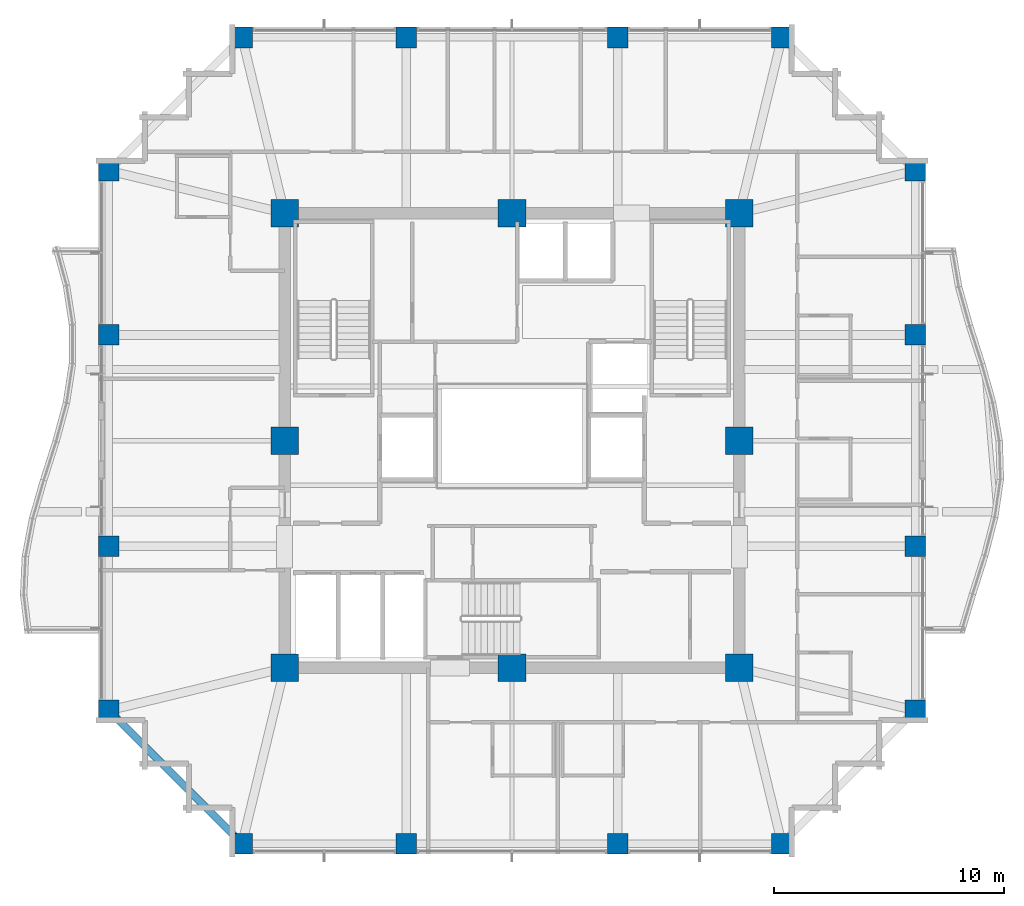
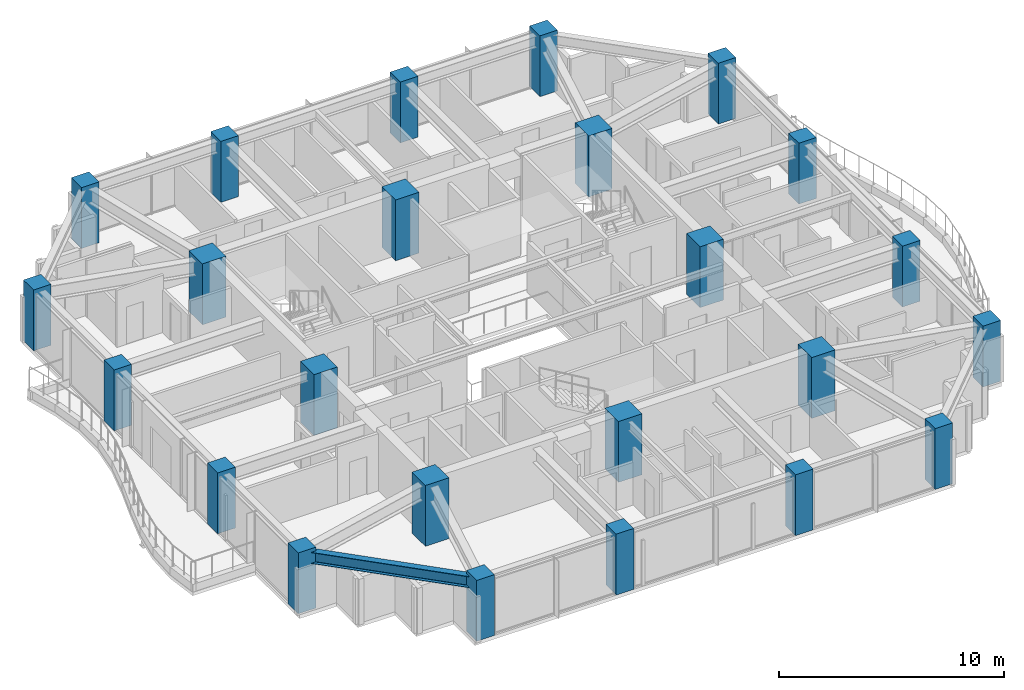
# One storey, part 1 of 33: 24 columns, 1 beam.
"""IFC4 building model written with IfcOpenShell, lengths in metres."""

from ifc_helpers import new_model, si_unit, direction, frame, origin, origin_2d, place, context, subcontext, project, spatial, rectangle, i_section, extrude, material, material_profile, profile_set, type_object, element, save


model = new_model("IFC4")

# Units and contexts
model_context = context("Model", 3, precision=1e-05, world=origin(), true_north=direction((0.0, 1.0)))
body_context = subcontext(model_context, "Body", "Model", "MODEL_VIEW")
ifc_project = project(units=[si_unit("LENGTHUNIT", "METRE"), si_unit("AREAUNIT", "SQUARE_METRE"), si_unit("VOLUMEUNIT", "CUBIC_METRE"), si_unit("PLANEANGLEUNIT", "RADIAN"), si_unit("MASSUNIT", "GRAM", prefix="KILO")], contexts=[model_context])

# Site, building, storey
site_placement = place(None, origin())
site = spatial("IfcSite", under=ifc_project, at=site_placement, CompositionType="ELEMENT")
building_placement = place(site_placement, origin())
building = spatial("IfcBuilding", under=site, at=building_placement, Name="Kolvaren Belvedere", CompositionType="ELEMENT")
storey_placement = place(building_placement, frame((0.0, 0.0, 128.300048828125)))
storey = spatial("IfcBuildingStorey", under=building, at=storey_placement, Name="L37", CompositionType="ELEMENT", Elevation=128.300048828125)

# Columns
ifc_material_1 = material(Name="Concrete C60/75", Category="concrete")
ifc_material_profile_1 = material_profile(ifc_material_1, rectangle(XDim=1.199951171875, YDim=1.199951171875, at=origin_2d()), Name="RC 1200X1200")
ifc_profile_set_1 = profile_set([ifc_material_profile_1], Name="Concrete C60/75")
column_type_1 = type_object("IfcColumnType", Name="COL-RC-1200", PredefinedType="COLUMN", material=ifc_profile_set_1)
for number, where, z_axis, x_axis, name in (
    (1, (-9.89990234375, -9.89990234375, 0.0), (0.0, 0.0, 1.0), (1.0, 0.0, 0.0), "L37 Core Column CC1"),
    (2, (9.89990234375, -9.89990234375, 0.0), (0.0, 0.0, 1.0), (1.0, 0.0, 0.0), "L37 Core Column CC2"),
    (3, (9.89990234375, 9.89990234375, 0.0), (0.0, 0.0, 1.0), (1.0, 0.0, 0.0), "L37 Core Column CC3"),
    (4, (-9.89990234375, 9.89990234375, 0.0), (0.0, 0.0, 1.0), (1.0, 0.0, 0.0), "L37 Core Column CC4"),
    (5, (0.0, -9.89990234375, 0.0), (0.0, 0.0, 1.0), (1.0, 0.0, 0.0), "L37 Core Column CM1"),
    (6, (9.89990234375, 0.0, 0.0), (0.0, 0.0, 1.0), (1.0, 0.0, 0.0), "L37 Core Column CM2"),
    (7, (0.0, 9.89990234375, 0.0), (0.0, 0.0, 1.0), (1.0, 0.0, 0.0), "L37 Core Column CM3"),
    (8, (-9.89990234375, 0.0, 0.0), (0.0, 0.0, 1.0), (1.0, 0.0, 0.0), "L37 Core Column CM4"),
):
    element("IfcColumn", number, at=place(storey_placement, frame(where, z_axis=z_axis, x_axis=x_axis)), inside=storey, type_object=column_type_1, Name=name, PredefinedType="COLUMN", context=body_context, shape_type="SweptSolid", body=[
        extrude(rectangle(XDim=1.199951171875, YDim=1.199951171875, at=origin_2d()), origin(), (0.0, 0.0, 1.0), 3.300048828125),
    ])
ifc_material_2 = material(Name="Concrete C50/60", Category="concrete")
ifc_material_profile_2 = material_profile(ifc_material_2, rectangle(XDim=0.89990234375, YDim=0.89990234375, at=origin_2d()), Name="RC 900X900")
ifc_profile_set_2 = profile_set([ifc_material_profile_2], Name="Concrete C50/60")
column_type_2 = type_object("IfcColumnType", Name="COL-RC-900", PredefinedType="COLUMN", material=ifc_profile_set_2)
for number, where, z_axis, x_axis, name in (
    (9, (-11.75, -17.550048828125, 0.0), (0.0, 0.0, 1.0), (1.0, 0.0, 0.0), "L37 Perimeter Column S1"),
    (10, (-4.60009765625, -17.550048828125, 0.0), (0.0, 0.0, 1.0), (1.0, 0.0, 0.0), "L37 Perimeter Column S2"),
    (11, (4.60009765625, -17.550048828125, 0.0), (0.0, 0.0, 1.0), (1.0, 0.0, 0.0), "L37 Perimeter Column S3"),
    (12, (11.75, -17.550048828125, 0.0), (0.0, 0.0, 1.0), (1.0, 0.0, 0.0), "L37 Perimeter Column S4"),
    (13, (-11.75, 17.550048828125, 0.0), (0.0, 0.0, 1.0), (1.0, 0.0, 0.0), "L37 Perimeter Column N1"),
    (14, (-4.60009765625, 17.550048828125, 0.0), (0.0, 0.0, 1.0), (1.0, 0.0, 0.0), "L37 Perimeter Column N2"),
    (15, (4.60009765625, 17.550048828125, 0.0), (0.0, 0.0, 1.0), (1.0, 0.0, 0.0), "L37 Perimeter Column N3"),
    (16, (11.75, 17.550048828125, 0.0), (0.0, 0.0, 1.0), (1.0, 0.0, 0.0), "L37 Perimeter Column N4"),
    (17, (-17.550048828125, -11.75, 0.0), (0.0, 0.0, 1.0), (1.0, 0.0, 0.0), "L37 Perimeter Column W1"),
    (18, (-17.550048828125, -4.60009765625, 0.0), (0.0, 0.0, 1.0), (1.0, 0.0, 0.0), "L37 Perimeter Column W2"),
    (19, (-17.550048828125, 4.60009765625, 0.0), (0.0, 0.0, 1.0), (1.0, 0.0, 0.0), "L37 Perimeter Column W3"),
    (20, (-17.550048828125, 11.75, 0.0), (0.0, 0.0, 1.0), (1.0, 0.0, 0.0), "L37 Perimeter Column W4"),
    (21, (17.550048828125, -11.75, 0.0), (0.0, 0.0, 1.0), (1.0, 0.0, 0.0), "L37 Perimeter Column E1"),
    (22, (17.550048828125, -4.60009765625, 0.0), (0.0, 0.0, 1.0), (1.0, 0.0, 0.0), "L37 Perimeter Column E2"),
    (23, (17.550048828125, 4.60009765625, 0.0), (0.0, 0.0, 1.0), (1.0, 0.0, 0.0), "L37 Perimeter Column E3"),
    (24, (17.550048828125, 11.75, 0.0), (0.0, 0.0, 1.0), (1.0, 0.0, 0.0), "L37 Perimeter Column E4"),
):
    element("IfcColumn", number, at=place(storey_placement, frame(where, z_axis=z_axis, x_axis=x_axis)), inside=storey, type_object=column_type_2, Name=name, PredefinedType="COLUMN", context=body_context, shape_type="SweptSolid", body=[
        extrude(rectangle(XDim=0.89990234375, YDim=0.89990234375, at=origin_2d()), origin(), (0.0, 0.0, 1.0), 3.300048828125),
    ])

# Beam
ifc_material_3 = material(Name="Structural steel ASTM A992 Grade 50", Category="steel")
ifc_material_profile_3 = material_profile(ifc_material_3, i_section(OverallWidth=0.324951171875, OverallDepth=0.615966796875, WebThickness=0.013916015625, FlangeThickness=0.021484375, FilletRadius=0.02001953125, at=origin_2d()), Name="W24X117")
ifc_profile_set_3 = profile_set([ifc_material_profile_3], Name="Structural steel ASTM A992 Grade 50")
beam_type = type_object("IfcBeamType", Name="BM-SPAN-W24X117", PredefinedType="SPANDREL", material=ifc_profile_set_3)
beam_placement = place(storey_placement, frame((-17.40673828125, -11.893310546875, 2.7919921875), z_axis=(0.707106781187, -0.707106781187, 0.0), x_axis=(0.707106781187, 0.707106781187, 0.0)))
element("IfcBeam", 25, at=beam_placement, inside=storey, type_object=beam_type, Name="L37 Perimeter Spandrel W1-S1", PredefinedType="SPANDREL", context=body_context, shape_type="SweptSolid", body=[
    extrude(i_section(OverallWidth=0.324951171875, OverallDepth=0.615966796875, WebThickness=0.013916015625, FlangeThickness=0.021484375, FilletRadius=0.02001953125, at=origin_2d()), origin(), (0.0, 0.0, 1.0), 7.797119140625),
])

save(model, "model.ifc")
